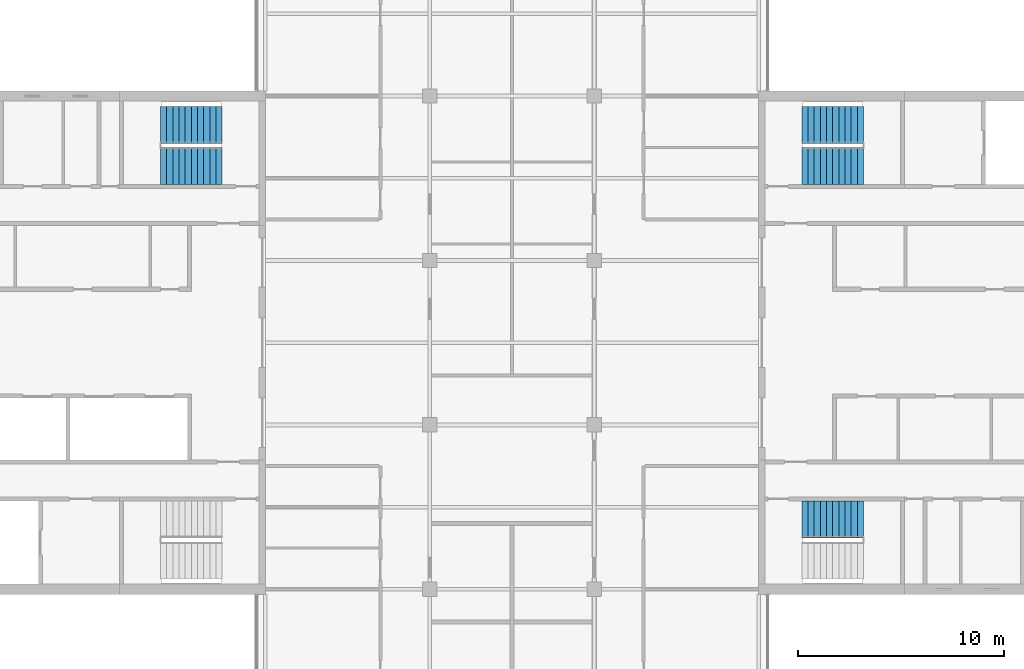
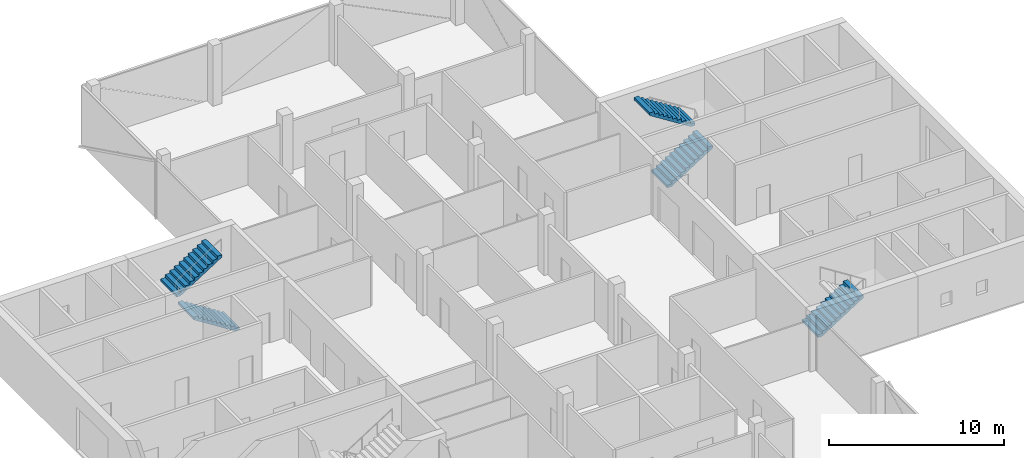
# One storey, part 13 of 16: 5 stair flights, 3 elements without a shape of their own.
"""IFC4 building model written with IfcOpenShell, lengths in metres."""

from ifc_helpers import new_model, si_unit, direction, frame, origin, place, context, subcontext, project, spatial, polyline, outline, extrude, material, type_object, element, aggregate, save


model = new_model("IFC4")

# Units and contexts
model_context = context("Model", 3, precision=1e-05, world=origin(), true_north=direction((0.0, 1.0)))
body_context = subcontext(model_context, "Body", "Model", "MODEL_VIEW")
ifc_project = project(units=[si_unit("LENGTHUNIT", "METRE"), si_unit("AREAUNIT", "SQUARE_METRE"), si_unit("VOLUMEUNIT", "CUBIC_METRE"), si_unit("PLANEANGLEUNIT", "RADIAN"), si_unit("MASSUNIT", "GRAM", prefix="KILO")], contexts=[model_context])

# Site, building, storey
site_placement = place(None, origin())
site = spatial("IfcSite", under=ifc_project, at=site_placement, CompositionType="ELEMENT")
building_placement = place(site_placement, origin())
building = spatial("IfcBuilding", under=site, at=building_placement, Name="Crosswind Convention Tower", CompositionType="ELEMENT")
storey_placement = place(building_placement, frame((0.0, 0.0, 278.699951171875)))
storey = spatial("IfcBuildingStorey", under=building, at=storey_placement, Name="L60", CompositionType="ELEMENT", Elevation=278.699951171875)

# Stair, stair flights
ifc_material = material(Name="Concrete C40/50", Category="concrete")
stair_type = type_object("IfcStairType", Name="Exit stair 1800 wide, 2 flights of 11 risers", PredefinedType="HALF_TURN_STAIR", material=ifc_material)
stair_1_placement = place(storey_placement, origin())
stair_1 = element("IfcStair", 1, at=stair_1_placement, inside=storey, type_object=stair_type, Name="Exit stair ST1 L60", ObjectType="ST5", PredefinedType="HALF_TURN_STAIR")
stair_flight_type = type_object("IfcStairFlightType", Name="Stair flight 1800 wide, 11 risers (SF4)", PredefinedType="STRAIGHT", material=ifc_material)
stair_flight_1_placement = place(storey_placement, frame((139.10009765625, 108.60009765625, 0.0), z_axis=(0.0, 0.0, 1.0), x_axis=(1.0, 0.0, 0.0)))
stair_flight_1 = element("IfcStairFlight", 2, at=stair_flight_1_placement, type_object=stair_flight_type, Name="ST1 flight 1", NumberOfRisers=11, NumberOfTreads=10, PredefinedType="STRAIGHT", RiserHeight=0.190909091, TreadLength=0.3, context=body_context, shape_type="SweptSolid", body=[
    extrude(outline(polyline([(0.0, 0.0), (0.0, 0.19091796875), (0.300048828125, 0.19091796875), (0.300048828125, 0.3818359375), (0.60009765625, 0.3818359375), (0.60009765625, 0.57275390625), (0.89990234375, 0.57275390625), (0.89990234375, 0.763671875), (1.199951171875, 0.763671875), (1.199951171875, 0.95458984375), (1.5, 0.95458984375), (1.5, 1.1455078125), (1.800048828125, 1.1455078125), (1.800048828125, 1.33642578125), (2.10009765625, 1.33642578125), (2.10009765625, 1.52734375), (2.39990234375, 1.52734375), (2.39990234375, 1.71826171875), (2.699951171875, 1.71826171875), (2.699951171875, 1.9091796875), (3.0, 1.9091796875), (3.0, 2.10009765625), (3.0, 1.7314453125), (0.279296875, 0.0), (0.0, 0.0)])), frame((0.0, 0.89990234375, 0.0), z_axis=(0.0, -1.0, 0.0), x_axis=(1.0, 0.0, 0.0)), (0.0, 0.0, 1.0), 1.800048828125),
])
stair_flight_2_placement = place(storey_placement, frame((142.10009765625, 110.60009765625, 2.10009765625), z_axis=(0.0, 0.0, 1.0), x_axis=(-1.0, 0.0, 0.0)))
stair_flight_2 = element("IfcStairFlight", 3, at=stair_flight_2_placement, type_object=stair_flight_type, Name="ST1 flight 2", NumberOfRisers=11, NumberOfTreads=10, PredefinedType="STRAIGHT", RiserHeight=0.190909091, TreadLength=0.3, context=body_context, shape_type="SweptSolid", body=[
    extrude(outline(polyline([(0.0, 0.0), (0.0, 0.19091796875), (0.300048828125, 0.19091796875), (0.300048828125, 0.3818359375), (0.60009765625, 0.3818359375), (0.60009765625, 0.57275390625), (0.89990234375, 0.57275390625), (0.89990234375, 0.763671875), (1.199951171875, 0.763671875), (1.199951171875, 0.95458984375), (1.5, 0.95458984375), (1.5, 1.1455078125), (1.800048828125, 1.1455078125), (1.800048828125, 1.33642578125), (2.10009765625, 1.33642578125), (2.10009765625, 1.52734375), (2.39990234375, 1.52734375), (2.39990234375, 1.71826171875), (2.699951171875, 1.71826171875), (2.699951171875, 1.9091796875), (3.0, 1.9091796875), (3.0, 2.10009765625), (3.0, 1.7314453125), (0.279296875, 0.0), (0.0, 0.0)])), frame((0.0, 0.89990234375, 0.0), z_axis=(0.0, -1.0, 0.0), x_axis=(1.0, 0.0, 0.0)), (0.0, 0.0, 1.0), 1.800048828125),
])
aggregate(stair_1, [stair_flight_1, stair_flight_2])

# Stair, stair flight
stair_2_placement = place(storey_placement, origin())
stair_2 = element("IfcStair", 4, at=stair_2_placement, inside=storey, type_object=stair_type, Name="Exit stair ST2 L60", ObjectType="ST5", PredefinedType="HALF_TURN_STAIR")
stair_flight_3_placement = place(storey_placement, frame((139.10009765625, 91.39990234375, 0.0), z_axis=(0.0, 0.0, 1.0), x_axis=(1.0, 0.0, 0.0)))
stair_flight_3 = element("IfcStairFlight", 5, at=stair_flight_3_placement, type_object=stair_flight_type, Name="ST2 flight 1", NumberOfRisers=11, NumberOfTreads=10, PredefinedType="STRAIGHT", RiserHeight=0.190909091, TreadLength=0.3, context=body_context, shape_type="SweptSolid", body=[
    extrude(outline(polyline([(0.0, 0.0), (0.0, 0.19091796875), (0.300048828125, 0.19091796875), (0.300048828125, 0.3818359375), (0.60009765625, 0.3818359375), (0.60009765625, 0.57275390625), (0.89990234375, 0.57275390625), (0.89990234375, 0.763671875), (1.199951171875, 0.763671875), (1.199951171875, 0.95458984375), (1.5, 0.95458984375), (1.5, 1.1455078125), (1.800048828125, 1.1455078125), (1.800048828125, 1.33642578125), (2.10009765625, 1.33642578125), (2.10009765625, 1.52734375), (2.39990234375, 1.52734375), (2.39990234375, 1.71826171875), (2.699951171875, 1.71826171875), (2.699951171875, 1.9091796875), (3.0, 1.9091796875), (3.0, 2.10009765625), (3.0, 1.7314453125), (0.279296875, 0.0), (0.0, 0.0)])), frame((0.0, 0.89990234375, 0.0), z_axis=(0.0, -1.0, 0.0), x_axis=(1.0, 0.0, 0.0)), (0.0, 0.0, 1.0), 1.800048828125),
])
aggregate(stair_2, [stair_flight_3])

# Stair, stair flights
stair_3_placement = place(storey_placement, origin())
stair_3 = element("IfcStair", 6, at=stair_3_placement, inside=storey, type_object=stair_type, Name="Exit stair ST4 L60", ObjectType="ST5", PredefinedType="HALF_TURN_STAIR")
stair_flight_4_placement = place(storey_placement, frame((110.89990234375, 108.60009765625, 0.0), z_axis=(0.0, 0.0, 1.0), x_axis=(-1.0, 0.0, 0.0)))
stair_flight_4 = element("IfcStairFlight", 7, at=stair_flight_4_placement, type_object=stair_flight_type, Name="ST4 flight 1", NumberOfRisers=11, NumberOfTreads=10, PredefinedType="STRAIGHT", RiserHeight=0.190909091, TreadLength=0.3, context=body_context, shape_type="SweptSolid", body=[
    extrude(outline(polyline([(0.0, 0.0), (0.0, 0.19091796875), (0.300048828125, 0.19091796875), (0.300048828125, 0.3818359375), (0.60009765625, 0.3818359375), (0.60009765625, 0.57275390625), (0.89990234375, 0.57275390625), (0.89990234375, 0.763671875), (1.199951171875, 0.763671875), (1.199951171875, 0.95458984375), (1.5, 0.95458984375), (1.5, 1.1455078125), (1.800048828125, 1.1455078125), (1.800048828125, 1.33642578125), (2.10009765625, 1.33642578125), (2.10009765625, 1.52734375), (2.39990234375, 1.52734375), (2.39990234375, 1.71826171875), (2.699951171875, 1.71826171875), (2.699951171875, 1.9091796875), (3.0, 1.9091796875), (3.0, 2.10009765625), (3.0, 1.7314453125), (0.279296875, 0.0), (0.0, 0.0)])), frame((0.0, 0.89990234375, 0.0), z_axis=(0.0, -1.0, 0.0), x_axis=(1.0, 0.0, 0.0)), (0.0, 0.0, 1.0), 1.800048828125),
])
stair_flight_5_placement = place(storey_placement, frame((107.89990234375, 110.60009765625, 2.10009765625), z_axis=(0.0, 0.0, 1.0), x_axis=(1.0, 0.0, 0.0)))
stair_flight_5 = element("IfcStairFlight", 8, at=stair_flight_5_placement, type_object=stair_flight_type, Name="ST4 flight 2", NumberOfRisers=11, NumberOfTreads=10, PredefinedType="STRAIGHT", RiserHeight=0.190909091, TreadLength=0.3, context=body_context, shape_type="SweptSolid", body=[
    extrude(outline(polyline([(0.0, 0.0), (0.0, 0.19091796875), (0.300048828125, 0.19091796875), (0.300048828125, 0.3818359375), (0.60009765625, 0.3818359375), (0.60009765625, 0.57275390625), (0.89990234375, 0.57275390625), (0.89990234375, 0.763671875), (1.199951171875, 0.763671875), (1.199951171875, 0.95458984375), (1.5, 0.95458984375), (1.5, 1.1455078125), (1.800048828125, 1.1455078125), (1.800048828125, 1.33642578125), (2.10009765625, 1.33642578125), (2.10009765625, 1.52734375), (2.39990234375, 1.52734375), (2.39990234375, 1.71826171875), (2.699951171875, 1.71826171875), (2.699951171875, 1.9091796875), (3.0, 1.9091796875), (3.0, 2.10009765625), (3.0, 1.7314453125), (0.279296875, 0.0), (0.0, 0.0)])), frame((0.0, 0.89990234375, 0.0), z_axis=(0.0, -1.0, 0.0), x_axis=(1.0, 0.0, 0.0)), (0.0, 0.0, 1.0), 1.800048828125),
])
aggregate(stair_3, [stair_flight_4, stair_flight_5])

save(model, "model.ifc")
